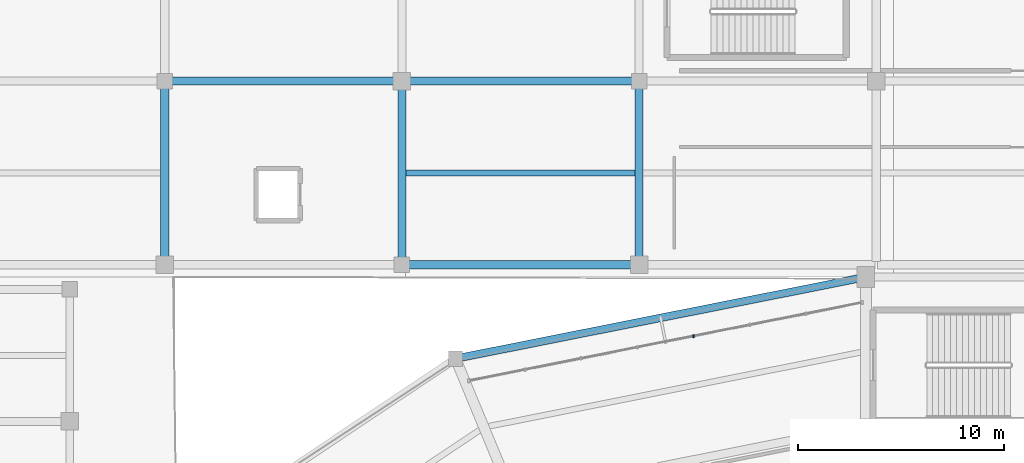
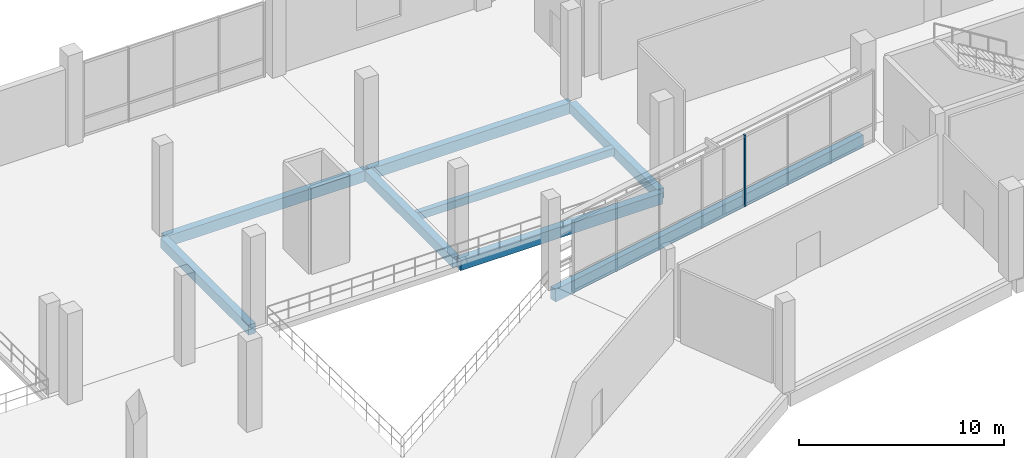
# One storey, part 48 of 114: 8 beams, 1 member, 1 element without a shape of its own.
"""IFC4 building model written with IfcOpenShell, lengths in metres."""

from ifc_helpers import new_model, si_unit, direction, frame, origin, origin_2d, place, context, subcontext, project, spatial, rectangle, extrude, material, material_profile, profile_set, type_object, element, aggregate, save


model = new_model("IFC4")

# Units and contexts
model_context = context("Model", 3, precision=1e-05, world=origin(), true_north=direction((0.0, 1.0)))
body_context = subcontext(model_context, "Body", "Model", "MODEL_VIEW")
ifc_project = project(units=[si_unit("LENGTHUNIT", "METRE"), si_unit("AREAUNIT", "SQUARE_METRE"), si_unit("VOLUMEUNIT", "CUBIC_METRE"), si_unit("PLANEANGLEUNIT", "RADIAN"), si_unit("MASSUNIT", "GRAM", prefix="KILO")], contexts=[model_context])

# Site, building, storey
site_placement = place(None, origin())
site = spatial("IfcSite", under=ifc_project, at=site_placement, CompositionType="ELEMENT")
building_placement = place(site_placement, origin())
building = spatial("IfcBuilding", under=site, at=building_placement, Name="Candeia Ridge Stadium", CompositionType="ELEMENT")
storey_placement = place(building_placement, frame((0.0, 0.0, 5.39990234375)))
storey = spatial("IfcBuildingStorey", under=building, at=storey_placement, Name="L01", CompositionType="ELEMENT", Elevation=5.39990234375)

# Curtain wall, member
ifc_material_1 = material(Name="Aluminium Anodized Warm Bronze", Category="aluminium")
curtain_wall_type = type_object("IfcCurtainWallType", Name="Concourse Recessed Unitised Curtain Wall", PredefinedType="NOTDEFINED", material=ifc_material_1)
curtain_wall_placement = place(storey_placement, origin())
curtain_wall = element("IfcCurtainWall", 1, at=curtain_wall_placement, inside=storey, type_object=curtain_wall_type, Name="Unitised curtain wall CW-BWL-L01-07", PredefinedType="NOTDEFINED")
ifc_material_profile_1 = material_profile(ifc_material_1, rectangle(XDim=0.074951171875, YDim=0.14990234375, at=origin_2d()), Name="CWM-75x150", Category="aluminium")
ifc_profile_set_1 = profile_set([ifc_material_profile_1], Name="Aluminium Anodized Warm Bronze")
member_type = type_object("IfcMemberType", Name="Curtain Wall Secondary Mullion 75x150", PredefinedType="MULLION", material=ifc_profile_set_1)
member_placement = place(storey_placement, frame((62.643310546875, 144.1376953125, 0.0), z_axis=(0.0, 0.0, 1.0), x_axis=(1.0, 0.0, 0.0)))
member = element("IfcMember", 2, at=member_placement, type_object=member_type, Name="Curtain wall mullion CW-BWL-L01-07-M3", PredefinedType="MULLION", context=body_context, shape_type="SweptSolid", body=[
    extrude(rectangle(XDim=0.074951171875, YDim=0.14990234375, at=origin_2d()), origin(), (0.0, 0.0, 1.0), 4.2451171875),
])
aggregate(curtain_wall, [member])

# Beams
ifc_material_2 = material(Name="Concrete C40/50", Category="concrete")
ifc_material_profile_2 = material_profile(ifc_material_2, rectangle(XDim=0.300048828125, YDim=0.449951171875, at=origin_2d()), Name="RC300x450", Category="concrete")
ifc_profile_set_2 = profile_set([ifc_material_profile_2], Name="Concrete C40/50")
beam_type_1 = type_object("IfcBeamType", Name="Floor Joist RC300x450", PredefinedType="JOIST", material=ifc_profile_set_2)
beam_1_placement = place(storey_placement, frame((48.699462890625, 152.050048828125, -0.48486328125), z_axis=(1.0, 0.0, 0.0), x_axis=(0.0, 1.0, 0.0)))
element("IfcBeam", 3, at=beam_1_placement, inside=storey, type_object=beam_type_1, Name="Wing secondary joist BM-L01-1552", PredefinedType="JOIST", context=body_context, shape_type="SweptSolid", body=[
    extrude(rectangle(XDim=0.300048828125, YDim=0.449951171875, at=origin_2d()), origin(), (0.0, 0.0, 1.0), 11.10107421875),
])
ifc_material_profile_3 = material_profile(ifc_material_2, rectangle(XDim=0.39990234375, YDim=0.60009765625, at=origin_2d()), Name="RC400x600", Category="concrete")
ifc_profile_set_3 = profile_set([ifc_material_profile_3], Name="Concrete C40/50")
beam_type_2 = type_object("IfcBeamType", Name="Frame Girder RC400x600", PredefinedType="BEAM", material=ifc_profile_set_3)
for number, where, z_axis, x_axis, name in (
    (4, (37.0, 147.760009765625, -0.559814453125), (0.0, 1.0, 0.0), (-1.0, 0.0, 0.0), "Structural girder BM-L01-1530"),
    (5, (48.5, 147.760009765625, -0.559814453125), (0.0, 1.0, 0.0), (-1.0, 0.0, 0.0), "Structural girder BM-L01-1532"),
    (6, (60.0, 147.760009765625, -0.559814453125), (0.0, 1.0, 0.0), (-1.0, 0.0, 0.0), "Structural girder BM-L01-1534"),
):
    element("IfcBeam", number, at=place(storey_placement, frame(where, z_axis=z_axis, x_axis=x_axis)), inside=storey, type_object=beam_type_2, Name=name, PredefinedType="BEAM", context=body_context, shape_type="SweptSolid", body=[
        extrude(rectangle(XDim=0.39990234375, YDim=0.60009765625, at=origin_2d()), origin(), (0.0, 0.0, 1.0), 8.580078125),
    ])
ifc_material_3 = material(Name="Concrete C45/55", Category="concrete")
ifc_material_profile_4 = material_profile(ifc_material_3, rectangle(XDim=0.3701171875, YDim=0.739990234375, at=origin_2d()), Name="RC370x740", Category="concrete")
ifc_profile_set_4 = profile_set([ifc_material_profile_4], Name="Concrete C45/55")
beam_type_3 = type_object("IfcBeamType", Name="Spandrel Beam RC370x740", PredefinedType="SPANDREL", material=ifc_profile_set_4)
beam_2_placement = place(storey_placement, frame((70.843017578125, 146.96875, -0.6298828125), z_axis=(-0.980786091775, -0.195086242929, 0.0), x_axis=(0.195086242929, -0.980786091775, 0.0)))
element("IfcBeam", 7, at=beam_2_placement, inside=storey, type_object=beam_type_3, Name="Bowl perimeter spandrel BM-L01-0105", PredefinedType="SPANDREL", context=body_context, shape_type="SweptSolid", body=[
    extrude(rectangle(XDim=0.3701171875, YDim=0.739990234375, at=origin_2d()), origin(), (0.0, 0.0, 1.0), 19.969482421875),
])
ifc_material_profile_5 = material_profile(ifc_material_2, rectangle(XDim=0.39990234375, YDim=0.64990234375, at=origin_2d()), Name="RC400x650", Category="concrete")
ifc_profile_set_5 = profile_set([ifc_material_profile_5], Name="Concrete C40/50")
beam_type_4 = type_object("IfcBeamType", Name="Wing Primary Girder RC400x650", PredefinedType="BEAM", material=ifc_profile_set_5)
for number, where, z_axis, x_axis, name in (
    (8, (37.050048828125, 156.5, -0.5849609375), (1.0, 0.0, 0.0), (0.0, 1.0, 0.0), "Structural girder BM-L01-1548"),
    (9, (48.550048828125, 147.60009765625, -0.5849609375), (1.0, 0.0, 0.0), (0.0, 1.0, 0.0), "Structural girder BM-L01-1551"),
    (10, (48.550048828125, 156.5, -0.5849609375), (1.0, 0.0, 0.0), (0.0, 1.0, 0.0), "Structural girder BM-L01-1553"),
):
    element("IfcBeam", number, at=place(storey_placement, frame(where, z_axis=z_axis, x_axis=x_axis)), inside=storey, type_object=beam_type_4, Name=name, PredefinedType="BEAM", context=body_context, shape_type="SweptSolid", body=[
        extrude(rectangle(XDim=0.39990234375, YDim=0.64990234375, at=origin_2d()), origin(), (0.0, 0.0, 1.0), 11.39990234375),
    ])

save(model, "model.ifc")
